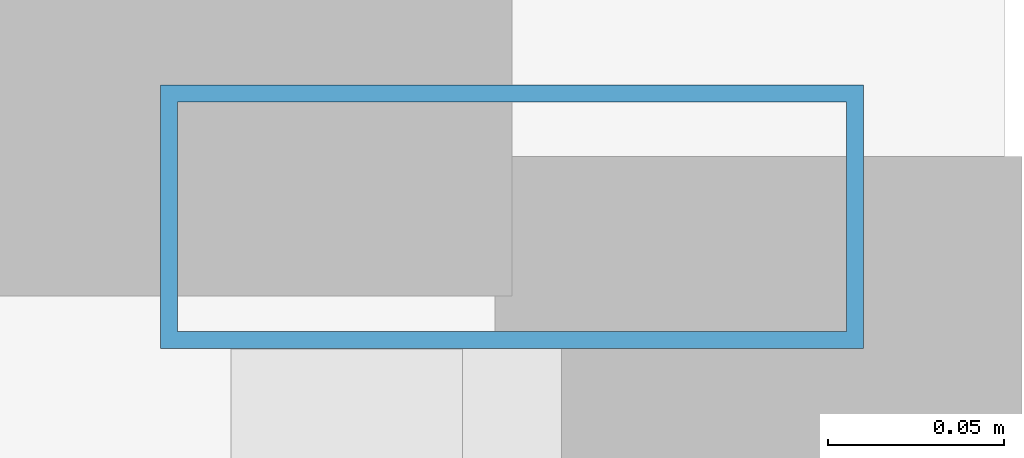
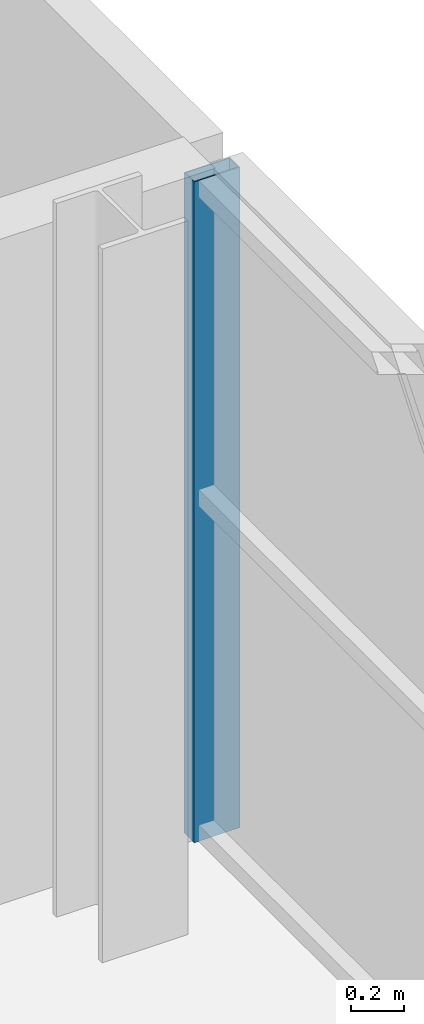
# One storey, part 13 of 22: 1 member, 1 element without a shape of its own.
"""IFC4 building model written with IfcOpenShell, lengths in metres."""

import ifcopenshell
import ifcopenshell.guid

model = None  # the IFC model being written
_history = None  # IfcOwnerHistory: only IFC2X3 demands one
_inside = {}  # id of a spatial element -> (the spatial element, [elements in it])
_under = {}  # id of a project, library or spatial element -> (it, [spatial elements below it])
_declared = {}  # id of a project -> (the project, [libraries it declares])
_typed = {}  # id of a type object -> (the type object, [elements of that type])
_made_of = {}  # id of a material, layer set ... -> (it, [elements and type objects made of it])


def new_model(schema):
    """Start an empty IFC model of exactly this schema.

    Asked for "IFC4X3", IfcOpenShell would pick the latest addendum, in which some entities
    have other attributes; the version numbers below select the first issue.
    IFC2X3 requires an IfcOwnerHistory on every rooted entity: one is made here for all.
    """
    global model, _history
    if schema == "IFC4X3":
        model = ifcopenshell.file(schema_version=(4, 3, 0, 0))
    else:
        model = ifcopenshell.file(schema=schema)
    _inside.clear()
    _under.clear()
    _declared.clear()
    _typed.clear()
    _made_of.clear()
    _history = None
    if model.schema == "IFC2X3":
        org = make("IfcOrganization", Name="unknown")
        user = make(
            "IfcPersonAndOrganization",
            ThePerson=make("IfcPerson", FamilyName="unknown"),
            TheOrganization=org,
        )
        app = make(
            "IfcApplication",
            ApplicationDeveloper=org,
            Version="unknown",
            ApplicationFullName="unknown",
            ApplicationIdentifier="unknown",
        )
        _history = make(
            "IfcOwnerHistory",
            OwningUser=user,
            OwningApplication=app,
            ChangeAction="ADDED",
            CreationDate=0,
        )
    return model


def make(cls, **values):
    """One entity of the class cls with the attributes given. An attribute that is None is left unset."""
    return model.create_entity(
        cls, **{name: value for name, value in values.items() if value is not None}
    )


def rooted(cls, **values):
    """An entity with a GlobalId (a new one), such as an element, a storey or a relation."""
    return make(cls, GlobalId=ifcopenshell.guid.new(), OwnerHistory=_history, **values)


def si_unit(unit_type, name, prefix=None):
    """IfcSIUnit, for example si_unit("LENGTHUNIT", "METRE", prefix="MILLI")."""
    return make("IfcSIUnit", UnitType=unit_type, Prefix=prefix, Name=name)


def assignment(units):
    """IfcUnitAssignment: the units of a project."""
    return None if units is None else make("IfcUnitAssignment", Units=units)


def point(xyz):
    """IfcCartesianPoint."""
    return None if xyz is None else make("IfcCartesianPoint", Coordinates=xyz)


def direction(xyz):
    """IfcDirection."""
    return None if xyz is None else make("IfcDirection", DirectionRatios=xyz)


def frame(location, z_axis=None, x_axis=None):
    """IfcAxis2Placement3D, a coordinate frame: its origin and axes. An axis left out is left unset."""
    return make(
        "IfcAxis2Placement3D",
        Location=point(location),
        Axis=direction(z_axis),
        RefDirection=direction(x_axis),
    )


def frame_2d(location, x_axis=None):
    """IfcAxis2Placement2D, a coordinate frame in the plane: its origin and x axis."""
    return make(
        "IfcAxis2Placement2D", Location=point(location), RefDirection=direction(x_axis)
    )


def origin():
    """The frame at (0, 0, 0) with its axes left unset."""
    return frame((0.0, 0.0, 0.0))


def origin_2d():
    """The frame at (0, 0) in the plane with its x axis left unset."""
    return frame_2d((0.0, 0.0))


def place(relative_to, where):
    """IfcLocalPlacement: puts the frame where relative to a parent placement (None: the world)."""
    return make(
        "IfcLocalPlacement", PlacementRelTo=relative_to, RelativePlacement=where
    )


def context(
    kind, dimensions, precision=None, world=None, true_north=None, identifier=None
):
    """IfcGeometricRepresentationContext, for example the 3D "Model" context."""
    return make(
        "IfcGeometricRepresentationContext",
        ContextIdentifier=identifier,
        ContextType=kind,
        CoordinateSpaceDimension=dimensions,
        Precision=precision,
        WorldCoordinateSystem=world,
        TrueNorth=true_north,
    )


def subcontext(parent, identifier, kind, view, scale=None):
    """IfcGeometricRepresentationSubContext, for example "Body" below "Model"."""
    return make(
        "IfcGeometricRepresentationSubContext",
        ContextIdentifier=identifier,
        ContextType=kind,
        ParentContext=parent,
        TargetScale=scale,
        TargetView=view,
    )


def project(units=None, contexts=None):
    """IfcProject with its units and contexts."""
    return rooted(
        "IfcProject",
        Name="project",
        RepresentationContexts=contexts,
        UnitsInContext=assignment(units),
    )


def spatial(cls, under=None, at=None, **own):
    """A site, building, storey or space (cls), placed at a placement, below another one or the project."""
    s = rooted(cls, ObjectPlacement=at, **own)
    if under is not None:
        _under.setdefault(under.id(), (under, []))[1].append(s)
    return s


def profile(cls, at=None, kind="AREA", **sizes):
    """A parametric profile (cls). Its sizes go by their IFC names, for example OverallWidth=200.0."""
    return make(cls, ProfileType=kind, Position=at, **sizes)


def hollow_rectangle(**sizes):
    """IfcRectangleHollowProfileDef."""
    return profile("IfcRectangleHollowProfileDef", **sizes)


def extrude(swept, where, along, depth):
    """IfcExtrudedAreaSolid: the profile swept, set in the frame where, extruded along a direction by depth."""
    return make(
        "IfcExtrudedAreaSolid",
        SweptArea=swept,
        Position=where,
        ExtrudedDirection=direction(along),
        Depth=depth,
    )


def shape(context_of_items, identifier, shape_type, items):
    """IfcShapeRepresentation: the items that make up one representation, for example the "Body"."""
    return make(
        "IfcShapeRepresentation",
        ContextOfItems=context_of_items,
        RepresentationIdentifier=identifier,
        RepresentationType=shape_type,
        Items=items,
    )


def source(mapping_origin, context_of_items, identifier, shape_type, items):
    """IfcRepresentationMap: a shape defined once, which mapped items show again and again."""
    return make(
        "IfcRepresentationMap",
        MappingOrigin=mapping_origin,
        MappedRepresentation=shape(context_of_items, identifier, shape_type, items),
    )


def transform(
    local_origin,
    x_axis=None,
    y_axis=None,
    z_axis=None,
    scale=None,
    scale2=None,
    scale3=None,
    uniform=True,
):
    """IfcCartesianTransformationOperator3D, or its non-uniform kind. x_axis, y_axis, z_axis: its Axis1, 2, 3."""
    if uniform:
        return make(
            "IfcCartesianTransformationOperator3D",
            Axis1=direction(x_axis),
            Axis2=direction(y_axis),
            LocalOrigin=point(local_origin),
            Scale=scale,
            Axis3=direction(z_axis),
        )
    return make(
        "IfcCartesianTransformationOperator3DnonUniform",
        Axis1=direction(x_axis),
        Axis2=direction(y_axis),
        LocalOrigin=point(local_origin),
        Scale=scale,
        Axis3=direction(z_axis),
        Scale2=scale2,
        Scale3=scale3,
    )


def mapped(mapping_source, mapping_target):
    """IfcMappedItem: shows the shape of a source again, moved by a transform."""
    return make(
        "IfcMappedItem", MappingSource=mapping_source, MappingTarget=mapping_target
    )


def material(Name=None, Category=None):
    """IfcMaterial."""
    return make("IfcMaterial", Name=Name, Category=Category)


def layer(
    of_material, thickness, ventilated=None, Name=None, Category=None, Priority=None
):
    """IfcMaterialLayer: one layer of a wall or slab, of a material (None: an air gap)."""
    return make(
        "IfcMaterialLayer",
        Material=of_material,
        LayerThickness=thickness,
        IsVentilated=ventilated,
        Name=Name,
        Category=Category,
        Priority=Priority,
    )


def layer_set(layers, Name=None):
    """IfcMaterialLayerSet."""
    return make("IfcMaterialLayerSet", MaterialLayers=layers, LayerSetName=Name)


def material_profile(
    of_material, cross_section, Name=None, Category=None, Priority=None
):
    """IfcMaterialProfile: a cross section and its material."""
    return make(
        "IfcMaterialProfile",
        Name=Name,
        Material=of_material,
        Profile=cross_section,
        Priority=Priority,
        Category=Category,
    )


def profile_set(profiles, Name=None, composite=None):
    """IfcMaterialProfileSet."""
    return make(
        "IfcMaterialProfileSet",
        Name=Name,
        MaterialProfiles=profiles,
        CompositeProfile=composite,
    )


def made_of(thing, what):
    """Note that an element or type object is made of a material, layer set ...; save() writes the relation."""
    if what is not None:
        _made_of.setdefault(what.id(), (what, []))[1].append(thing)
    return thing


def type_object(cls, material=None, **own):
    """A type object (cls), such as IfcWallType, which elements share."""
    return made_of(rooted(cls, **own), material)


def element(
    cls,
    number,
    at=None,
    inside=None,
    cuts=None,
    type_object=None,
    material=None,
    context=None,
    identifier="Body",
    shape_type=None,
    held_by="IfcProductDefinitionShape",
    body=None,
    shapes=None,
    **own,
):
    """One element of the class cls, such as IfcWall. Its Tag is "e" and its number.

    at: its placement. inside: the storey or other place that contains it. cuts: it is an
    opening in that element (IfcRelVoidsElement). A single representation is given by context,
    identifier, shape_type and body (its items); several are given by shapes. held_by: the class
    of the entity that holds the representations. save() writes the other relations.
    """
    e = rooted(cls, Tag="e%d" % number, ObjectPlacement=at, **own)
    if body is not None:
        shapes = [shape(context, identifier, shape_type, body)]
    if shapes is not None:
        e.Representation = make(held_by, Representations=shapes)
    if inside is not None:
        _inside.setdefault(inside.id(), (inside, []))[1].append(e)
    if cuts is not None:
        rooted(
            "IfcRelVoidsElement", RelatingBuildingElement=cuts, RelatedOpeningElement=e
        )
    if type_object is not None:
        _typed.setdefault(type_object.id(), (type_object, []))[1].append(e)
    return made_of(e, material)


def aggregate(whole, parts):
    """IfcRelAggregates: a whole, such as a stair, and the parts it consists of."""
    return rooted("IfcRelAggregates", RelatingObject=whole, RelatedObjects=parts)


def save(model, path):
    """Write the relations noted so far, then the file.

    IfcRelAggregates (storeys below a building ...), IfcRelContainedInSpatialStructure (elements
    in a storey), IfcRelDefinesByType, IfcRelAssociatesMaterial and IfcRelDeclares: one each for
    every whole, place, type object, material and project.
    """
    for whole, parts in _under.values():
        aggregate(whole, parts)
    for where, things in _inside.values():
        rooted(
            "IfcRelContainedInSpatialStructure",
            RelatedElements=things,
            RelatingStructure=where,
        )
    for kind, things in _typed.values():
        rooted("IfcRelDefinesByType", RelatedObjects=things, RelatingType=kind)
    for what, things in _made_of.values():
        rooted("IfcRelAssociatesMaterial", RelatedObjects=things, RelatingMaterial=what)
    for by, libraries in _declared.values():
        rooted("IfcRelDeclares", RelatingContext=by, RelatedDefinitions=libraries)
    model.write(path)


model = new_model("IFC4")

# Units and contexts
model_context = context("Model", 3, precision=1e-05, world=origin(), true_north=direction((0.0, 1.0)))
body_context = subcontext(model_context, "Body", "Model", "MODEL_VIEW")
ifc_project = project(units=[si_unit("LENGTHUNIT", "METRE"), si_unit("AREAUNIT", "SQUARE_METRE"), si_unit("VOLUMEUNIT", "CUBIC_METRE"), si_unit("PLANEANGLEUNIT", "RADIAN"), si_unit("MASSUNIT", "GRAM", prefix="KILO")], contexts=[model_context])

# Site, building, storey
site_placement = place(None, origin())
site = spatial("IfcSite", under=ifc_project, at=site_placement, CompositionType="ELEMENT")
building_placement = place(site_placement, origin())
building = spatial("IfcBuilding", under=site, at=building_placement, Name="Zarnakvel Exchange Tower", CompositionType="ELEMENT")
storey_placement = place(building_placement, frame((0.0, 0.0, 251.800048828125)))
storey = spatial("IfcBuildingStorey", under=building, at=storey_placement, Name="L71", CompositionType="ELEMENT", Elevation=251.800048828125)

# Curtain wall, member
ifc_material = material(Name="Architectural Bronze Anodised Aluminium", Category="aluminium")
ifc_layer = layer(ifc_material, 0.199951171875)
ifc_layer_set = layer_set([ifc_layer], Name="Architectural Bronze Anodised Aluminium")
curtain_wall_type = type_object("IfcCurtainWallType", Name="CW-04", PredefinedType="NOTDEFINED", material=ifc_layer_set)
curtain_wall_placement = place(storey_placement, origin())
curtain_wall = element("IfcCurtainWall", 1, at=curtain_wall_placement, inside=storey, type_object=curtain_wall_type, Name="L71 Curtain Wall CW-L71-EN (CW-04)", PredefinedType="NOTDEFINED")
ifc_material_profile = material_profile(ifc_material, hollow_rectangle(XDim=0.199951171875, YDim=0.074951171875, WallThickness=0.0048828125, at=origin_2d()))
ifc_profile_set = profile_set([ifc_material_profile], Name="Architectural Bronze Anodised Aluminium")
member_type = type_object("IfcMemberType", Name="CWM-04", PredefinedType="MULLION", material=ifc_profile_set)
shared_shape = source(origin(), body_context, "Body", "SweptSolid", [
    extrude(hollow_rectangle(XDim=0.199951171875, YDim=0.074951171875, WallThickness=0.0048828125, at=origin_2d()), origin(), (0.0, 0.0, 1.0), 3.054931640625),
])
member_placement = place(storey_placement, frame((23.4599609375, 13.862548828125, 0.0), z_axis=(0.0, 0.0, 1.0), x_axis=(-1.0, 0.0, 0.0)))
member = element("IfcMember", 2, at=member_placement, type_object=member_type, Name="CW-04 mullion 3", PredefinedType="MULLION", context=body_context, shape_type="MappedRepresentation", body=[
    mapped(shared_shape, transform((0.0, 0.0, 0.0), x_axis=(1.0, 0.0, 0.0), y_axis=(0.0, 1.0, 0.0), z_axis=(0.0, 0.0, 1.0), scale=1.0)),
])
aggregate(curtain_wall, [member])

save(model, "model.ifc")
